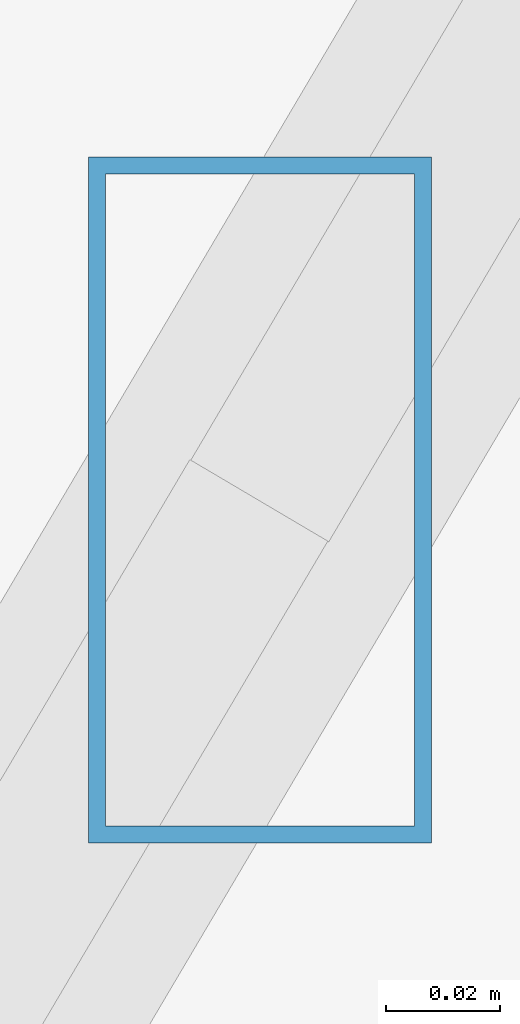
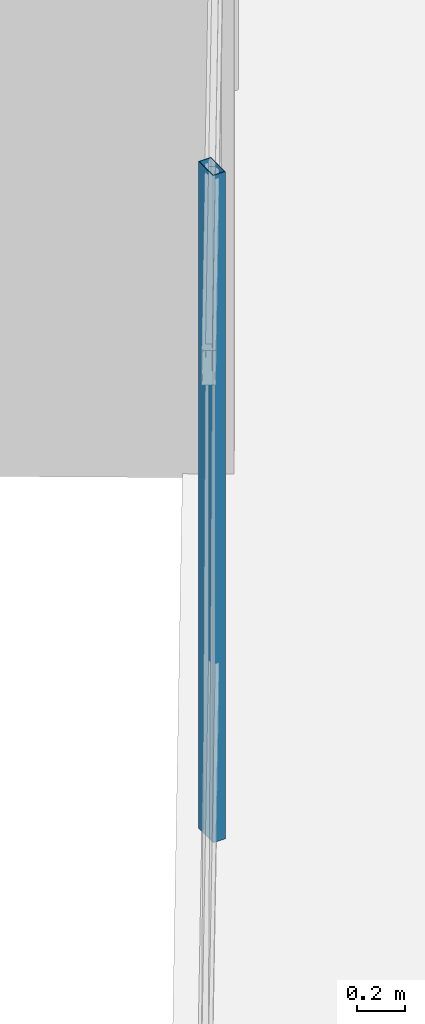
# One storey, part 7 of 48: 1 member, 1 element without a shape of its own.
"""IFC4 building model written with IfcOpenShell, lengths in metres."""

from ifc_helpers import new_model, si_unit, direction, frame, origin, origin_2d, place, context, subcontext, project, spatial, hollow_rectangle, extrude, source, transform, mapped, material, material_profile, profile_set, type_object, type_shapes, element, aggregate, save


model = new_model("IFC4")

# Units and contexts
model_context = context("Model", 3, precision=1e-05, world=origin(), true_north=direction((0.0, 1.0)))
body_context = subcontext(model_context, "Body", "Model", "MODEL_VIEW")
ifc_project = project(units=[si_unit("LENGTHUNIT", "METRE"), si_unit("AREAUNIT", "SQUARE_METRE"), si_unit("VOLUMEUNIT", "CUBIC_METRE"), si_unit("PLANEANGLEUNIT", "RADIAN"), si_unit("MASSUNIT", "GRAM", prefix="KILO")], contexts=[model_context])

# Site, building, storey
site_placement = place(None, origin())
site = spatial("IfcSite", under=ifc_project, at=site_placement, CompositionType="ELEMENT")
building_placement = place(site_placement, origin())
building = spatial("IfcBuilding", under=site, at=building_placement, Name="Caelisora Broadcast Tower", CompositionType="ELEMENT")
storey_placement = place(building_placement, frame((0.0, 0.0, 277.300048828125)))
storey = spatial("IfcBuildingStorey", under=building, at=storey_placement, Name="L73", CompositionType="ELEMENT", Elevation=277.300048828125)

# Curtain wall, member
ifc_material_1 = material(Name="Unitised Aluminium and Low-E Glass Curtain Wall", Category="glass")
curtain_wall_type = type_object("IfcCurtainWallType", Name="CW-Z5", PredefinedType="NOTDEFINED", material=ifc_material_1)
curtain_wall_placement = place(storey_placement, origin())
curtain_wall = element("IfcCurtainWall", 1, at=curtain_wall_placement, inside=storey, type_object=curtain_wall_type, Name="L73 curtain wall CW-Z5", PredefinedType="NOTDEFINED")
ifc_material_2 = material(Name="Aluminium 6063-T6 Anodised Terracotta Bronze", Category="aluminium")
ifc_material_profile = material_profile(ifc_material_2, hollow_rectangle(XDim=0.06005859375, YDim=0.1201171875, WallThickness=0.0029296875, at=origin_2d()), Name="Aluminium 6063-T6 Anodised Terracotta Bronze")
ifc_profile_set = profile_set([ifc_material_profile], Name="Aluminium 6063-T6 Anodised Terracotta Bronze")
member_type = type_object("IfcMemberType", Name="CWM-04", PredefinedType="MULLION", material=ifc_profile_set)
shared_shape = source(origin(), body_context, "Body", "SweptSolid", [
    extrude(hollow_rectangle(XDim=0.06005859375, YDim=0.1201171875, WallThickness=0.0029296875, at=origin_2d()), origin(), (0.0, 0.0, 1.0), 3.39990234375),
])
type_shapes(member_type, [shared_shape])
member_placement = place(storey_placement, frame((15.48779296875, 16.801513671875, 0.0), z_axis=(0.0, 0.0, 1.0), x_axis=(1.0, 0.0, 0.0)))
member = element("IfcMember", 2, at=member_placement, type_object=member_type, Name="L73-CW-B09 mullion #1", PredefinedType="MULLION", context=body_context, shape_type="MappedRepresentation", body=[
    mapped(shared_shape, transform((0.0, 0.0, 0.0), scale=1.0)),
])
aggregate(curtain_wall, [member])

save(model, "model.ifc")
